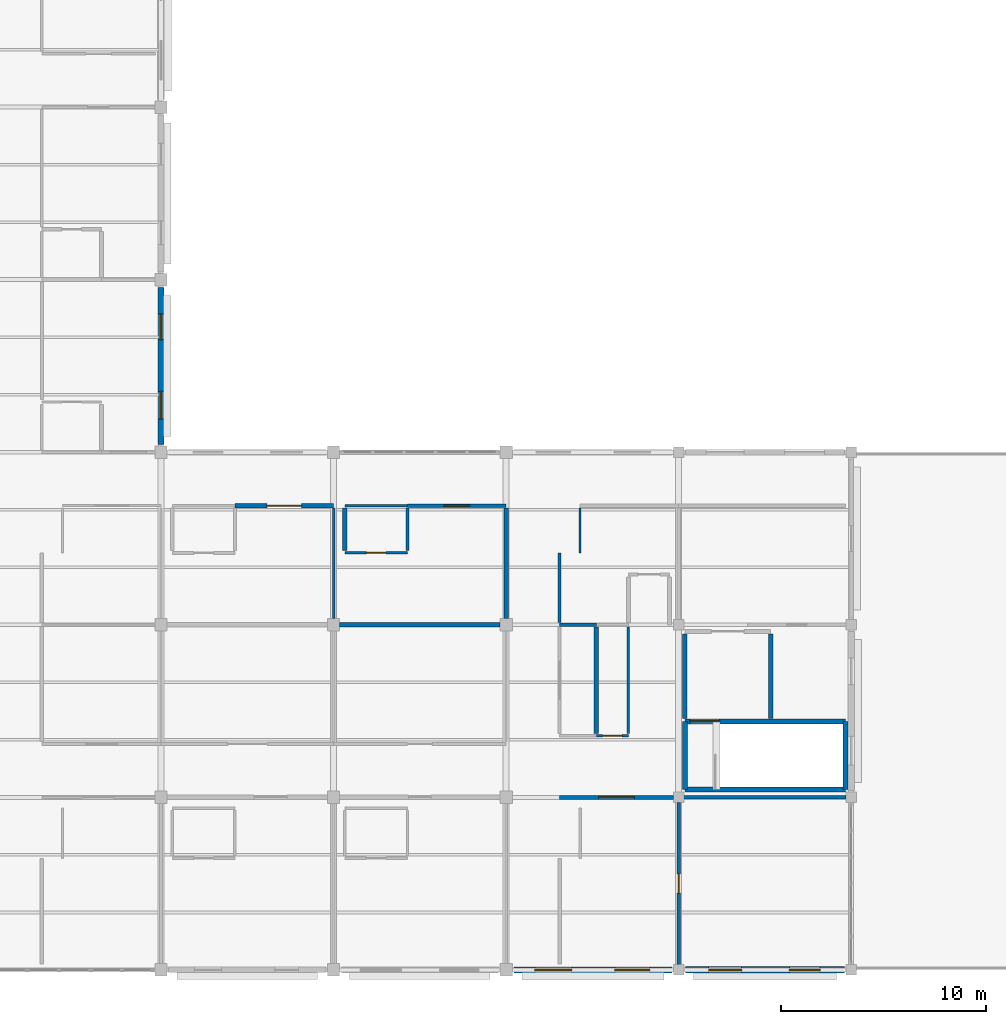
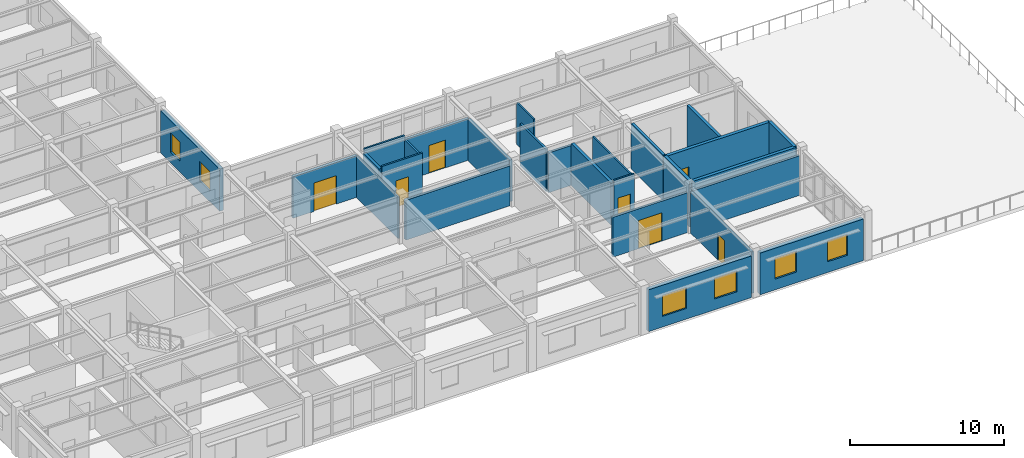
# One storey, part 47 of 70: 27 walls, 7 doors, 6 windows, 13 openings.
"""IFC4 building model written with IfcOpenShell, lengths in metres."""

from ifc_helpers import new_model, si_unit, direction, frame, frame_2d, origin, place, context, subcontext, project, spatial, rectangle, extrude, material, layer, layer_set, type_object, element, fill, save


model = new_model("IFC4")

# Units and contexts
model_context = context("Model", 3, precision=1e-05, world=origin(), true_north=direction((0.0, 1.0)))
body_context = subcontext(model_context, "Body", "Model", "MODEL_VIEW")
ifc_project = project(units=[si_unit("LENGTHUNIT", "METRE"), si_unit("AREAUNIT", "SQUARE_METRE"), si_unit("VOLUMEUNIT", "CUBIC_METRE"), si_unit("PLANEANGLEUNIT", "RADIAN"), si_unit("MASSUNIT", "GRAM", prefix="KILO")], contexts=[model_context])

# Site, building, storey
site_placement = place(None, origin())
site = spatial("IfcSite", under=ifc_project, at=site_placement, CompositionType="ELEMENT")
building_placement = place(site_placement, origin())
building = spatial("IfcBuilding", under=site, at=building_placement, Name="Bramfleet General Hospital", CompositionType="ELEMENT")
storey_placement = place(building_placement, frame((0.0, 0.0, 22.5)))
storey = spatial("IfcBuildingStorey", under=building, at=storey_placement, Name="L05", CompositionType="ELEMENT", Elevation=22.5)

# Wall, openings, windows
ifc_material_1 = material(Name="Precast concrete C40/50", Category="concrete")
ifc_layer_1 = layer(ifc_material_1, 0.31494140625, Name="WT-EW-04")
ifc_layer_set_1 = layer_set([ifc_layer_1], Name="Precast concrete C40/50")
wall_type_1 = type_object("IfcWallType", Name="WT-EW-04", PredefinedType="SOLIDWALL", material=ifc_layer_set_1)
wall_1_placement = place(storey_placement, frame((150.875, 0.0, 0.0), z_axis=(0.0, 0.0, 1.0), x_axis=(-1.0, 0.0, 0.0)))
wall_1 = element("IfcWall", 1, at=wall_1_placement, inside=storey, type_object=wall_type_1, Name="L05 Exterior Wall 373", PredefinedType="SOLIDWALL", context=body_context, shape_type="SweptSolid", body=[
    extrude(rectangle(XDim=7.75, YDim=0.31494140625, at=frame_2d((3.875, 0.0))), origin(), (0.0, 0.0, 1.0), 3.300048828125),
])
opening_1_placement = place(wall_1_placement, frame((1.1875, 0.0, 0.85009765625)))
opening_1 = element("IfcOpeningElement", 2, at=opening_1_placement, cuts=wall_1, Name="Opening W-35", PredefinedType="OPENING", context=body_context, shape_type="SweptSolid", body=[
    extrude(rectangle(XDim=1.5, YDim=1.659912109375, at=frame_2d((0.75, 0.830078125))), frame((0.0, 0.16748046875, 0.0), z_axis=(0.0, -1.0, 0.0), x_axis=(1.0, 0.0, 0.0)), (0.0, 0.0, 1.0), 0.3349609375),
])
opening_2_placement = place(wall_1_placement, frame((5.012451171875, 0.0, 0.85009765625)))
opening_2 = element("IfcOpeningElement", 3, at=opening_2_placement, cuts=wall_1, Name="Opening W-36", PredefinedType="OPENING", context=body_context, shape_type="SweptSolid", body=[
    extrude(rectangle(XDim=1.60009765625, YDim=1.659912109375, at=frame_2d((0.800048828125, 0.830078125))), frame((0.0, 0.16748046875, 0.0), z_axis=(0.0, -1.0, 0.0), x_axis=(1.0, 0.0, 0.0)), (0.0, 0.0, 1.0), 0.3349609375),
])
ifc_material_2 = material(Name="Anodised aluminium and low-E triple glazing", Category="aluminium")
window_type_1 = type_object("IfcWindowType", Name="WIN-W-35", PartitioningType="SINGLE_PANEL", PredefinedType="WINDOW", material=ifc_material_2)
window_1_placement = place(opening_1_placement, origin())
window_1 = element("IfcWindow", 4, at=window_1_placement, inside=storey, type_object=window_type_1, Name="L05 Facade Window WIN-L05-373-1", OverallHeight=1.659912109375, OverallWidth=1.5, PartitioningType="SINGLE_PANEL", PredefinedType="WINDOW", context=body_context, shape_type="SweptSolid", body=[
    extrude(rectangle(XDim=1.5, YDim=1.659912109375, at=frame_2d((0.75, 0.830078125))), frame((0.0, 0.030029296875, 0.0), z_axis=(0.0, -1.0, 0.0), x_axis=(1.0, 0.0, 0.0)), (0.0, 0.0, 1.0), 0.06005859375),
])
fill(opening_1, window_1)
window_type_2 = type_object("IfcWindowType", Name="WIN-W-36", PartitioningType="SINGLE_PANEL", PredefinedType="WINDOW", material=ifc_material_2)
window_2_placement = place(opening_2_placement, origin())
window_2 = element("IfcWindow", 5, at=window_2_placement, inside=storey, type_object=window_type_2, Name="L05 Facade Window WIN-L05-373-2", OverallHeight=1.659912109375, OverallWidth=1.60009765625, PartitioningType="SINGLE_PANEL", PredefinedType="WINDOW", context=body_context, shape_type="SweptSolid", body=[
    extrude(rectangle(XDim=1.60009765625, YDim=1.659912109375, at=frame_2d((0.800048828125, 0.830078125))), frame((0.0, 0.030029296875, 0.0), z_axis=(0.0, -1.0, 0.0), x_axis=(1.0, 0.0, 0.0)), (0.0, 0.0, 1.0), 0.06005859375),
])
fill(opening_2, window_2)

ifc_layer_2 = layer(ifc_material_1, 0.294921875, Name="WT-EW-05")
ifc_layer_set_2 = layer_set([ifc_layer_2], Name="Precast concrete C40/50")
wall_type_2 = type_object("IfcWallType", Name="WT-EW-05", PredefinedType="SOLIDWALL", material=ifc_layer_set_2)
wall_2_placement = place(storey_placement, frame((117.60009765625, 33.22509765625, 0.0), z_axis=(0.0, 0.0, 1.0), x_axis=(0.0, -1.0, 0.0)))
wall_2 = element("IfcWall", 6, at=wall_2_placement, inside=storey, type_object=wall_type_2, Name="L05 Exterior Wall 367", PredefinedType="SOLIDWALL", context=body_context, shape_type="SweptSolid", body=[
    extrude(rectangle(XDim=7.650146484375, YDim=0.294921875, at=frame_2d((3.8251953125, 0.0))), origin(), (0.0, 0.0, 1.0), 3.340087890625),
])
opening_3_placement = place(wall_2_placement, frame((1.28759765625, 0.0, 0.85009765625)))
opening_3 = element("IfcOpeningElement", 7, at=opening_3_placement, cuts=wall_2, Name="Opening W-23", PredefinedType="OPENING", context=body_context, shape_type="SweptSolid", body=[
    extrude(rectangle(XDim=1.25, YDim=1.5400390625, at=frame_2d((0.625, 0.77001953125))), frame((0.0, 0.157470703125, 0.0), z_axis=(0.0, -1.0, 0.0), x_axis=(1.0, 0.0, 0.0)), (0.0, 0.0, 1.0), 0.31494140625),
])
opening_4_placement = place(wall_2_placement, frame((5.0625, 0.0, 0.85009765625)))
opening_4 = element("IfcOpeningElement", 8, at=opening_4_placement, cuts=wall_2, Name="Opening W-24", PredefinedType="OPENING", context=body_context, shape_type="SweptSolid", body=[
    extrude(rectangle(XDim=1.35009765625, YDim=1.5400390625, at=frame_2d((0.675048828125, 0.77001953125))), frame((0.0, 0.157470703125, 0.0), z_axis=(0.0, -1.0, 0.0), x_axis=(1.0, 0.0, 0.0)), (0.0, 0.0, 1.0), 0.31494140625),
])
window_type_3 = type_object("IfcWindowType", Name="WIN-W-23", PartitioningType="SINGLE_PANEL", PredefinedType="WINDOW", material=ifc_material_2)
window_3_placement = place(opening_3_placement, origin())
window_3 = element("IfcWindow", 9, at=window_3_placement, inside=storey, type_object=window_type_3, Name="L05 Facade Window WIN-L05-367-1", OverallHeight=1.5400390625, OverallWidth=1.25, PartitioningType="SINGLE_PANEL", PredefinedType="WINDOW", context=body_context, shape_type="SweptSolid", body=[
    extrude(rectangle(XDim=1.25, YDim=1.5400390625, at=frame_2d((0.625, 0.77001953125))), frame((0.0, 0.030029296875, 0.0), z_axis=(0.0, -1.0, 0.0), x_axis=(1.0, 0.0, 0.0)), (0.0, 0.0, 1.0), 0.06005859375),
])
fill(opening_3, window_3)
window_type_4 = type_object("IfcWindowType", Name="WIN-W-24", PartitioningType="SINGLE_PANEL", PredefinedType="WINDOW", material=ifc_material_2)
window_4_placement = place(opening_4_placement, origin())
window_4 = element("IfcWindow", 10, at=window_4_placement, inside=storey, type_object=window_type_4, Name="L05 Facade Window WIN-L05-367-2", OverallHeight=1.5400390625, OverallWidth=1.35009765625, PartitioningType="SINGLE_PANEL", PredefinedType="WINDOW", context=body_context, shape_type="SweptSolid", body=[
    extrude(rectangle(XDim=1.35009765625, YDim=1.5400390625, at=frame_2d((0.675048828125, 0.77001953125))), frame((0.0, 0.030029296875, 0.0), z_axis=(0.0, -1.0, 0.0), x_axis=(1.0, 0.0, 0.0)), (0.0, 0.0, 1.0), 0.06005859375),
])
fill(opening_4, window_4)

wall_3_placement = place(storey_placement, frame((142.47509765625, 0.0, 0.0), z_axis=(0.0, 0.0, 1.0), x_axis=(-1.0, 0.0, 0.0)))
wall_3 = element("IfcWall", 11, at=wall_3_placement, inside=storey, type_object=wall_type_2, Name="L05 Exterior Wall 374", PredefinedType="SOLIDWALL", context=body_context, shape_type="SweptSolid", body=[
    extrude(rectangle(XDim=7.7001953125, YDim=0.294921875, at=frame_2d((3.85009765625, 0.0))), origin(), (0.0, 0.0, 1.0), 3.31005859375),
])
opening_5_placement = place(wall_3_placement, frame((1.074951171875, 0.0, 0.85009765625)))
opening_5 = element("IfcOpeningElement", 12, at=opening_5_placement, cuts=wall_3, Name="Opening W-37", PredefinedType="OPENING", context=body_context, shape_type="SweptSolid", body=[
    extrude(rectangle(XDim=1.699951171875, YDim=1.659912109375, at=frame_2d((0.85009765625, 0.830078125))), frame((0.0, 0.157470703125, 0.0), z_axis=(0.0, -1.0, 0.0), x_axis=(1.0, 0.0, 0.0)), (0.0, 0.0, 1.0), 0.31494140625),
])
opening_6_placement = place(wall_3_placement, frame((4.875, 0.0, 0.85009765625)))
opening_6 = element("IfcOpeningElement", 13, at=opening_6_placement, cuts=wall_3, Name="Opening W-38", PredefinedType="OPENING", context=body_context, shape_type="SweptSolid", body=[
    extrude(rectangle(XDim=1.800048828125, YDim=1.659912109375, at=frame_2d((0.89990234375, 0.830078125))), frame((0.0, 0.157470703125, 0.0), z_axis=(0.0, -1.0, 0.0), x_axis=(1.0, 0.0, 0.0)), (0.0, 0.0, 1.0), 0.31494140625),
])
window_type_5 = type_object("IfcWindowType", Name="WIN-W-37", PartitioningType="SINGLE_PANEL", PredefinedType="WINDOW", material=ifc_material_2)
window_5_placement = place(opening_5_placement, origin())
window_5 = element("IfcWindow", 14, at=window_5_placement, inside=storey, type_object=window_type_5, Name="L05 Facade Window WIN-L05-374-1", OverallHeight=1.659912109375, OverallWidth=1.699951171875, PartitioningType="SINGLE_PANEL", PredefinedType="WINDOW", context=body_context, shape_type="SweptSolid", body=[
    extrude(rectangle(XDim=1.699951171875, YDim=1.659912109375, at=frame_2d((0.85009765625, 0.830078125))), frame((0.0, 0.030029296875, 0.0), z_axis=(0.0, -1.0, 0.0), x_axis=(1.0, 0.0, 0.0)), (0.0, 0.0, 1.0), 0.06005859375),
])
fill(opening_5, window_5)
window_type_6 = type_object("IfcWindowType", Name="WIN-W-38", PartitioningType="SINGLE_PANEL", PredefinedType="WINDOW", material=ifc_material_2)
window_6_placement = place(opening_6_placement, origin())
window_6 = element("IfcWindow", 15, at=window_6_placement, inside=storey, type_object=window_type_6, Name="L05 Facade Window WIN-L05-374-2", OverallHeight=1.659912109375, OverallWidth=1.800048828125, PartitioningType="SINGLE_PANEL", PredefinedType="WINDOW", context=body_context, shape_type="SweptSolid", body=[
    extrude(rectangle(XDim=1.800048828125, YDim=1.659912109375, at=frame_2d((0.89990234375, 0.830078125))), frame((0.0, 0.030029296875, 0.0), z_axis=(0.0, -1.0, 0.0), x_axis=(1.0, 0.0, 0.0)), (0.0, 0.0, 1.0), 0.06005859375),
])
fill(opening_6, window_6)

# Walls
ifc_material_3 = material(Name="Concrete C35/45", Category="concrete")
ifc_layer_3 = layer(ifc_material_3, 0.219970703125, Name="WT-IW-01")
ifc_layer_set_3 = layer_set([ifc_layer_3], Name="Concrete C35/45")
wall_type_3 = type_object("IfcWallType", Name="WT-IW-01", PredefinedType="PARTITIONING", material=ifc_layer_set_3)
wall_4_placement = place(storey_placement, frame((134.39990234375, 17.094970703125, 0.0), z_axis=(0.0, 0.0, 1.0), x_axis=(0.0, 1.0, 0.0)))
element("IfcWall", 16, at=wall_4_placement, inside=storey, type_object=wall_type_3, Name="L05 Interior Partition IW-L05-3805", PredefinedType="PARTITIONING", context=body_context, shape_type="SweptSolid", body=[
    extrude(rectangle(XDim=5.39013671875, YDim=0.219970703125, at=frame_2d((2.695068359375, 0.0))), origin(), (0.0, 0.0, 1.0), 3.300048828125),
])
wall_5_placement = place(storey_placement, frame((138.800048828125, 11.514892578125, 0.0), z_axis=(0.0, 0.0, 1.0), x_axis=(0.0, 1.0, 0.0)))
element("IfcWall", 17, at=wall_5_placement, inside=storey, type_object=wall_type_3, Name="L05 Interior Partition IW-L05-3817", PredefinedType="PARTITIONING", context=body_context, shape_type="SweptSolid", body=[
    extrude(rectangle(XDim=5.170166015625, YDim=0.219970703125, at=frame_2d((2.5849609375, 0.0))), origin(), (0.0, 0.0, 1.0), 3.340087890625),
])
ifc_layer_4 = layer(ifc_material_3, 0.205078125, Name="WT-IW-02")
ifc_layer_set_4 = layer_set([ifc_layer_4], Name="Concrete C35/45")
wall_type_4 = type_object("IfcWallType", Name="WT-IW-02", PredefinedType="PARTITIONING", material=ifc_layer_set_4)
for number, where, z_axis, x_axis, name in (
    (18, (147.280029296875, 12.239990234375, 0.0), (0.0, 0.0, 1.0), (0.0, 1.0, 0.0), "L05 C10 Lobby East Shaft Wall"),
    (19, (143.10009765625, 12.239990234375, 0.0), (0.0, 0.0, 1.0), (0.0, 1.0, 0.0), "L05 C10 Lobby West Compartment Wall"),
):
    element("IfcWall", number, at=place(storey_placement, frame(where, z_axis=z_axis, x_axis=x_axis)), inside=storey, type_object=wall_type_4, Name=name, PredefinedType="PARTITIONING", context=body_context, shape_type="SweptSolid", body=[
        extrude(rectangle(XDim=4.1201171875, YDim=0.205078125, at=frame_2d((2.06005859375, 0.0))), origin(), (0.0, 0.0, 1.0), 3.610107421875),
    ])
wall_6_placement = place(storey_placement, frame((126.294921875, 16.800048828125, 0.0), z_axis=(0.0, 0.0, 1.0), x_axis=(1.0, 0.0, 0.0)))
element("IfcWall", 20, at=wall_6_placement, inside=storey, type_object=wall_type_4, Name="L05 Interior Partition IW-L05-3518", PredefinedType="PARTITIONING", context=body_context, shape_type="SweptSolid", body=[
    extrude(rectangle(XDim=7.81005859375, YDim=0.205078125, at=frame_2d((3.905029296875, 0.0))), origin(), (0.0, 0.0, 1.0), 3.159912109375),
])

# Wall, opening, door
wall_7_placement = place(storey_placement, frame((121.199951171875, 22.60009765625, 0.0), z_axis=(0.0, 0.0, 1.0), x_axis=(1.0, 0.0, 0.0)))
wall_7 = element("IfcWall", 21, at=wall_7_placement, inside=storey, type_object=wall_type_4, Name="L05 Interior Partition IW-L05-3530", PredefinedType="PARTITIONING", context=body_context, shape_type="SweptSolid", body=[
    extrude(rectangle(XDim=4.800048828125, YDim=0.205078125, at=frame_2d((2.39990234375, 0.0))), origin(), (0.0, 0.0, 1.0), 3.300048828125),
])
opening_7_placement = place(wall_7_placement, frame((1.550048828125, 0.0, 0.0)))
opening_7 = element("IfcOpeningElement", 22, at=opening_7_placement, cuts=wall_7, Name="Opening D1415", PredefinedType="OPENING", context=body_context, shape_type="SweptSolid", body=[
    extrude(rectangle(XDim=1.699951171875, YDim=2.25, at=frame_2d((0.85009765625, 1.125))), frame((0.0, 0.112548828125, 0.0), z_axis=(0.0, -1.0, 0.0), x_axis=(1.0, 0.0, 0.0)), (0.0, 0.0, 1.0), 0.22509765625),
])
ifc_material_4 = material(Name="Stainless steel and acoustic timber leaf", Category="steel")
door_type_1 = type_object("IfcDoorType", Name="DR-D-07", OperationType="NOTDEFINED", PredefinedType="DOOR", material=ifc_material_4)
door_1_placement = place(opening_7_placement, origin())
door_1 = element("IfcDoor", 23, at=door_1_placement, inside=storey, type_object=door_type_1, Name="Medical and Cardiology Ward Bedroom L05-1402 Door D1415", OperationType="DOUBLE_SWING_RIGHT", OverallHeight=2.25, OverallWidth=1.699951171875, PredefinedType="DOOR", context=body_context, shape_type="SweptSolid", body=[
    extrude(rectangle(XDim=1.699951171875, YDim=2.25, at=frame_2d((0.85009765625, 1.125))), frame((0.0, 0.02490234375, 0.0), z_axis=(0.0, -1.0, 0.0), x_axis=(1.0, 0.0, 0.0)), (0.0, 0.0, 1.0), 0.050048828125),
])
fill(opening_7, door_1)

# Wall
wall_8_placement = place(storey_placement, frame((126.550048828125, 20.4150390625, 0.0), z_axis=(0.0, 0.0, 1.0), x_axis=(0.0, 1.0, 0.0)))
element("IfcWall", 24, at=wall_8_placement, inside=storey, type_object=wall_type_4, Name="L05 Interior Partition IW-L05-3794", PredefinedType="PARTITIONING", context=body_context, shape_type="SweptSolid", body=[
    extrude(rectangle(XDim=2.070068359375, YDim=0.205078125, at=frame_2d((1.03515625, 0.0))), origin(), (0.0, 0.0, 1.0), 3.340087890625),
])

# Wall, opening, door
ifc_layer_5 = layer(ifc_material_3, 0.18994140625, Name="WT-IW-03")
ifc_layer_set_5 = layer_set([ifc_layer_5], Name="Concrete C35/45")
wall_type_5 = type_object("IfcWallType", Name="WT-IW-03", PredefinedType="PARTITIONING", material=ifc_layer_set_5)
wall_9_placement = place(storey_placement, frame((137.0, 8.39990234375, 0.0), z_axis=(0.0, 0.0, 1.0), x_axis=(1.0, 0.0, 0.0)))
wall_9 = element("IfcWall", 25, at=wall_9_placement, inside=storey, type_object=wall_type_5, Name="L05 Interior Partition IW-L05-3507", PredefinedType="PARTITIONING", context=body_context, shape_type="SweptSolid", body=[
    extrude(rectangle(XDim=5.554931640625, YDim=0.18994140625, at=frame_2d((2.77734375, 0.0))), origin(), (0.0, 0.0, 1.0), 3.159912109375),
])
opening_8_placement = place(wall_9_placement, frame((1.907470703125, 0.0, 0.0)))
opening_8 = element("IfcOpeningElement", 26, at=opening_8_placement, cuts=wall_9, Name="Opening D1427", PredefinedType="OPENING", context=body_context, shape_type="SweptSolid", body=[
    extrude(rectangle(XDim=1.739990234375, YDim=2.239990234375, at=frame_2d((0.8701171875, 1.1201171875))), frame((0.0, 0.10498046875, 0.0), z_axis=(0.0, -1.0, 0.0), x_axis=(1.0, 0.0, 0.0)), (0.0, 0.0, 1.0), 0.2099609375),
])
door_type_2 = type_object("IfcDoorType", Name="DR-D-19", OperationType="NOTDEFINED", PredefinedType="DOOR", material=ifc_material_4)
door_2_placement = place(opening_8_placement, origin())
door_2 = element("IfcDoor", 27, at=door_2_placement, inside=storey, type_object=door_type_2, Name="Medical and Cardiology Ward Bedroom L05-1600 Door D1427", OperationType="DOUBLE_SWING_RIGHT", OverallHeight=2.239990234375, OverallWidth=1.739990234375, PredefinedType="DOOR", context=body_context, shape_type="SweptSolid", body=[
    extrude(rectangle(XDim=1.739990234375, YDim=2.239990234375, at=frame_2d((0.8701171875, 1.1201171875))), frame((0.0, 0.02490234375, 0.0), z_axis=(0.0, -1.0, 0.0), x_axis=(1.0, 0.0, 0.0)), (0.0, 0.0, 1.0), 0.050048828125),
])
fill(opening_8, door_2)

# Walls
wall_10_placement = place(storey_placement, frame((137.0, 16.800048828125, 0.0), z_axis=(0.0, 0.0, 1.0), x_axis=(1.0, 0.0, 0.0)))
element("IfcWall", 28, at=wall_10_placement, inside=storey, type_object=wall_type_5, Name="L05 Interior Partition IW-L05-3519", PredefinedType="PARTITIONING", context=body_context, shape_type="SweptSolid", body=[
    extrude(rectangle(XDim=1.800048828125, YDim=0.18994140625, at=frame_2d((0.89990234375, 0.0))), origin(), (0.0, 0.0, 1.0), 3.159912109375),
])
ifc_layer_6 = layer(ifc_material_3, 0.179931640625, Name="WT-IW-04")
ifc_layer_set_6 = layer_set([ifc_layer_6], Name="Concrete C35/45")
wall_type_6 = type_object("IfcWallType", Name="WT-IW-04", PredefinedType="PARTITIONING", material=ifc_layer_set_6)
wall_11_placement = place(storey_placement, frame((143.044921875, 8.39990234375, 0.0), z_axis=(0.0, 0.0, 1.0), x_axis=(1.0, 0.0, 0.0)))
element("IfcWall", 29, at=wall_11_placement, inside=storey, type_object=wall_type_6, Name="L05 Interior Partition IW-L05-3508", PredefinedType="PARTITIONING", context=body_context, shape_type="SweptSolid", body=[
    extrude(rectangle(XDim=7.91015625, YDim=0.179931640625, at=frame_2d((3.955078125, 0.0))), origin(), (0.0, 0.0, 1.0), 3.14990234375),
])

# Wall, opening, door
wall_12_placement = place(storey_placement, frame((129.60009765625, 22.60009765625, 0.0), z_axis=(0.0, 0.0, 1.0), x_axis=(1.0, 0.0, 0.0)))
wall_12 = element("IfcWall", 30, at=wall_12_placement, inside=storey, type_object=wall_type_6, Name="L05 Interior Partition IW-L05-3532", PredefinedType="PARTITIONING", context=body_context, shape_type="SweptSolid", body=[
    extrude(rectangle(XDim=4.7998046875, YDim=0.179931640625, at=frame_2d((2.39990234375, 0.0))), origin(), (0.0, 0.0, 1.0), 3.300048828125),
])
opening_9_placement = place(wall_12_placement, frame((1.77490234375, 0.0, 0.0)))
opening_9 = element("IfcOpeningElement", 31, at=opening_9_placement, cuts=wall_12, Name="Opening D1422", PredefinedType="OPENING", context=body_context, shape_type="SweptSolid", body=[
    extrude(rectangle(XDim=1.25, YDim=2.199951171875, at=frame_2d((0.625, 1.10009765625))), frame((0.0, 0.099853515625, 0.0), z_axis=(0.0, -1.0, 0.0), x_axis=(1.0, 0.0, 0.0)), (0.0, 0.0, 1.0), 0.199951171875),
])
door_type_3 = type_object("IfcDoorType", Name="DR-D-14", OperationType="NOTDEFINED", PredefinedType="DOOR", material=ifc_material_4)
door_3_placement = place(opening_9_placement, origin())
door_3 = element("IfcDoor", 32, at=door_3_placement, inside=storey, type_object=door_type_3, Name="Medical and Cardiology Ward Bedroom L05-1502 Door D1422", OperationType="SINGLE_SWING_LEFT", OverallHeight=2.199951171875, OverallWidth=1.25, PredefinedType="DOOR", context=body_context, shape_type="SweptSolid", body=[
    extrude(rectangle(XDim=1.25, YDim=2.199951171875, at=frame_2d((0.625, 1.10009765625))), frame((0.0, 0.02490234375, 0.0), z_axis=(0.0, -1.0, 0.0), x_axis=(1.0, 0.0, 0.0)), (0.0, 0.0, 1.0), 0.050048828125),
])
fill(opening_9, door_3)

ifc_material_5 = material(Name="Gypsum plasterboard on acoustic steel studs", Category="steel")
ifc_layer_7 = layer(ifc_material_5, 0.169921875, Name="WT-IW-05")
ifc_layer_set_7 = layer_set([ifc_layer_7], Name="Gypsum plasterboard on acoustic steel studs")
wall_type_7 = type_object("IfcWallType", Name="WT-IW-05", PredefinedType="PARTITIONING", material=ifc_layer_set_7)
wall_13_placement = place(storey_placement, frame((142.800048828125, 0.2451171875, 0.0), z_axis=(0.0, 0.0, 1.0), x_axis=(0.0, 1.0, 0.0)))
wall_13 = element("IfcWall", 33, at=wall_13_placement, inside=storey, type_object=wall_type_7, Name="L05 Interior Partition IW-L05-3821", PredefinedType="PARTITIONING", context=body_context, shape_type="SweptSolid", body=[
    extrude(rectangle(XDim=7.909912109375, YDim=0.169921875, at=frame_2d((3.955078125, 0.0))), origin(), (0.0, 0.0, 1.0), 3.2900390625),
])
opening_10_placement = place(wall_13_placement, frame((3.4951171875, 0.0, 0.0)))
opening_10 = element("IfcOpeningElement", 34, at=opening_10_placement, cuts=wall_13, Name="Opening D1433", PredefinedType="OPENING", context=body_context, shape_type="SweptSolid", body=[
    extrude(rectangle(XDim=0.919921875, YDim=2.080078125, at=frame_2d((0.4599609375, 1.0400390625))), frame((0.0, 0.094970703125, 0.0), z_axis=(0.0, -1.0, 0.0), x_axis=(1.0, 0.0, 0.0)), (0.0, 0.0, 1.0), 0.18994140625),
])
door_type_4 = type_object("IfcDoorType", Name="DR-D-25", OperationType="NOTDEFINED", PredefinedType="DOOR", material=ifc_material_4)
door_4_placement = place(opening_10_placement, origin())
door_4 = element("IfcDoor", 35, at=door_4_placement, inside=storey, type_object=door_type_4, Name="Patient Dayroom and Garden Lounge L05-1700 Door D1433", OperationType="SINGLE_SWING_RIGHT", OverallHeight=2.080078125, OverallWidth=0.919921875, PredefinedType="DOOR", context=body_context, shape_type="SweptSolid", body=[
    extrude(rectangle(XDim=0.919921875, YDim=2.080078125, at=frame_2d((0.4599609375, 1.0400390625))), frame((0.0, 0.02490234375, 0.0), z_axis=(0.0, -1.0, 0.0), x_axis=(1.0, 0.0, 0.0)), (0.0, 0.0, 1.0), 0.050048828125),
])
fill(opening_10, door_4)

# Walls
ifc_layer_8 = layer(ifc_material_5, 0.14990234375, Name="WT-IW-07")
ifc_layer_set_8 = layer_set([ifc_layer_8], Name="Gypsum plasterboard on acoustic steel studs")
wall_type_8 = type_object("IfcWallType", Name="WT-IW-07", PredefinedType="PARTITIONING", material=ifc_layer_set_8)
wall_14_placement = place(storey_placement, frame((129.60009765625, 20.4150390625, 0.0), z_axis=(0.0, 0.0, 1.0), x_axis=(0.0, 1.0, 0.0)))
element("IfcWall", 36, at=wall_14_placement, inside=storey, type_object=wall_type_8, Name="L05 Interior Partition IW-L05-3799", PredefinedType="PARTITIONING", context=body_context, shape_type="SweptSolid", body=[
    extrude(rectangle(XDim=2.070068359375, YDim=0.14990234375, at=frame_2d((1.03515625, 0.0))), origin(), (0.0, 0.0, 1.0), 3.340087890625),
])
wall_15_placement = place(storey_placement, frame((137.0, 16.9150390625, 0.0), z_axis=(0.0, 0.0, 1.0), x_axis=(0.0, 1.0, 0.0)))
element("IfcWall", 37, at=wall_15_placement, inside=storey, type_object=wall_type_8, Name="L05 Interior Partition IW-L05-3811", PredefinedType="PARTITIONING", context=body_context, shape_type="SweptSolid", body=[
    extrude(rectangle(XDim=3.385009765625, YDim=0.14990234375, at=frame_2d((1.6923828125, 0.0))), origin(), (0.0, 0.0, 1.0), 3.340087890625),
])

# Wall, opening, door
ifc_layer_9 = layer(ifc_material_5, 0.1298828125, Name="WT-IW-09")
ifc_layer_set_9 = layer_set([ifc_layer_9], Name="Gypsum plasterboard on acoustic steel studs")
wall_type_9 = type_object("IfcWallType", Name="WT-IW-09", PredefinedType="PARTITIONING", material=ifc_layer_set_9)
wall_16_placement = place(storey_placement, frame((126.550048828125, 20.300048828125, 0.0), z_axis=(0.0, 0.0, 1.0), x_axis=(1.0, 0.0, 0.0)))
wall_16 = element("IfcWall", 38, at=wall_16_placement, inside=storey, type_object=wall_type_9, Name="L05 Interior Partition IW-L05-3525", PredefinedType="PARTITIONING", context=body_context, shape_type="SweptSolid", body=[
    extrude(rectangle(XDim=3.050048828125, YDim=0.1298828125, at=frame_2d((1.52490234375, 0.0))), origin(), (0.0, 0.0, 1.0), 3.610107421875),
])
opening_11_placement = place(wall_16_placement, frame((1.050048828125, 0.0, 0.0)))
opening_11 = element("IfcOpeningElement", 39, at=opening_11_placement, cuts=wall_16, Name="Opening D1423", PredefinedType="OPENING", context=body_context, shape_type="SweptSolid", body=[
    extrude(rectangle(XDim=0.949951171875, YDim=2.10009765625, at=frame_2d((0.47509765625, 1.050048828125))), frame((0.0, 0.074951171875, 0.0), z_axis=(0.0, -1.0, 0.0), x_axis=(1.0, 0.0, 0.0)), (0.0, 0.0, 1.0), 0.14990234375),
])
door_type_5 = type_object("IfcDoorType", Name="DR-D-10", OperationType="NOTDEFINED", PredefinedType="DOOR", material=ifc_material_4)
door_5_placement = place(opening_11_placement, origin())
door_5 = element("IfcDoor", 40, at=door_5_placement, inside=storey, type_object=door_type_5, Name="En-Suite Bathroom L05-1502 Door D1423", OperationType="SINGLE_SWING_LEFT", OverallHeight=2.10009765625, OverallWidth=0.949951171875, PredefinedType="DOOR", context=body_context, shape_type="SweptSolid", body=[
    extrude(rectangle(XDim=0.949951171875, YDim=2.10009765625, at=frame_2d((0.47509765625, 1.050048828125))), frame((0.0, 0.02490234375, 0.0), z_axis=(0.0, -1.0, 0.0), x_axis=(1.0, 0.0, 0.0)), (0.0, 0.0, 1.0), 0.050048828125),
])
fill(opening_11, door_5)

ifc_layer_10 = layer(ifc_material_5, 0.1201171875, Name="WT-IW-10")
ifc_layer_set_10 = layer_set([ifc_layer_10], Name="Gypsum plasterboard on acoustic steel studs")
wall_type_10 = type_object("IfcWallType", Name="WT-IW-10", PredefinedType="PARTITIONING", material=ifc_layer_set_10)
wall_17_placement = place(storey_placement, frame((138.800048828125, 11.39990234375, 0.0), z_axis=(0.0, 0.0, 1.0), x_axis=(1.0, 0.0, 0.0)))
wall_17 = element("IfcWall", 41, at=wall_17_placement, inside=storey, type_object=wall_type_10, Name="L05 Interior Partition IW-L05-3514", PredefinedType="PARTITIONING", context=body_context, shape_type="SweptSolid", body=[
    extrude(rectangle(XDim=1.550048828125, YDim=0.1201171875, at=frame_2d((0.77490234375, 0.0))), origin(), (0.0, 0.0, 1.0), 3.610107421875),
])
opening_12_placement = place(wall_17_placement, frame((0.300048828125, 0.0, 0.0)))
opening_12 = element("IfcOpeningElement", 42, at=opening_12_placement, cuts=wall_17, Name="Opening D1429", PredefinedType="OPENING", context=body_context, shape_type="SweptSolid", body=[
    extrude(rectangle(XDim=0.949951171875, YDim=2.10009765625, at=frame_2d((0.47509765625, 1.050048828125))), frame((0.0, 0.070068359375, 0.0), z_axis=(0.0, -1.0, 0.0), x_axis=(1.0, 0.0, 0.0)), (0.0, 0.0, 1.0), 0.14013671875),
])
door_6_placement = place(opening_12_placement, origin())
door_6 = element("IfcDoor", 43, at=door_6_placement, inside=storey, type_object=door_type_5, Name="L05 Accessible and Staff WC 1601 Door D1429", OperationType="SINGLE_SWING_LEFT", OverallHeight=2.10009765625, OverallWidth=0.949951171875, PredefinedType="DOOR", context=body_context, shape_type="SweptSolid", body=[
    extrude(rectangle(XDim=0.949951171875, YDim=2.10009765625, at=frame_2d((0.47509765625, 1.050048828125))), frame((0.0, 0.02490234375, 0.0), z_axis=(0.0, -1.0, 0.0), x_axis=(1.0, 0.0, 0.0)), (0.0, 0.0, 1.0), 0.050048828125),
])
fill(opening_12, door_6)

# Walls
wall_18_placement = place(storey_placement, frame((126.550048828125, 22.60009765625, 0.0), z_axis=(0.0, 0.0, 1.0), x_axis=(1.0, 0.0, 0.0)))
element("IfcWall", 44, at=wall_18_placement, inside=storey, type_object=wall_type_10, Name="L05 Interior Partition IW-L05-3531", PredefinedType="PARTITIONING", context=body_context, shape_type="SweptSolid", body=[
    extrude(rectangle(XDim=3.050048828125, YDim=0.1201171875, at=frame_2d((1.52490234375, 0.0))), origin(), (0.0, 0.0, 1.0), 3.610107421875),
])
wall_19_placement = place(storey_placement, frame((126.0, 17.094970703125, 0.0), z_axis=(0.0, 0.0, 1.0), x_axis=(0.0, 1.0, 0.0)))
element("IfcWall", 45, at=wall_19_placement, inside=storey, type_object=wall_type_10, Name="L05 Interior Partition IW-L05-3790", PredefinedType="PARTITIONING", context=body_context, shape_type="SweptSolid", body=[
    extrude(rectangle(XDim=5.39013671875, YDim=0.1201171875, at=frame_2d((2.695068359375, 0.0))), origin(), (0.0, 0.0, 1.0), 3.300048828125),
])
wall_20_placement = place(storey_placement, frame((140.35009765625, 11.514892578125, 0.0), z_axis=(0.0, 0.0, 1.0), x_axis=(0.0, 1.0, 0.0)))
element("IfcWall", 46, at=wall_20_placement, inside=storey, type_object=wall_type_10, Name="L05 Interior Partition IW-L05-3818", PredefinedType="PARTITIONING", context=body_context, shape_type="SweptSolid", body=[
    extrude(rectangle(XDim=5.170166015625, YDim=0.1201171875, at=frame_2d((2.5849609375, 0.0))), origin(), (0.0, 0.0, 1.0), 3.340087890625),
])
ifc_layer_11 = layer(ifc_material_5, 0.112060546875, Name="WT-IW-11")
ifc_layer_set_11 = layer_set([ifc_layer_11], Name="Gypsum plasterboard on acoustic steel studs")
wall_type_11 = type_object("IfcWallType", Name="WT-IW-11", PredefinedType="PARTITIONING", material=ifc_layer_set_11)
wall_21_placement = place(storey_placement, frame((138.0, 20.300048828125, 0.0), z_axis=(0.0, 0.0, 1.0), x_axis=(0.0, 1.0, 0.0)))
element("IfcWall", 47, at=wall_21_placement, inside=storey, type_object=wall_type_11, Name="L05 Interior Partition IW-L05-3815", PredefinedType="PARTITIONING", context=body_context, shape_type="SweptSolid", body=[
    extrude(rectangle(XDim=2.18505859375, YDim=0.112060546875, at=frame_2d((1.092529296875, 0.0))), origin(), (0.0, 0.0, 1.0), 3.340087890625),
])
ifc_material_6 = material(Name="Concrete C40/50", Category="concrete")
ifc_layer_12 = layer(ifc_material_6, 0.239990234375, Name="WT-SW-240")
ifc_layer_set_12 = layer_set([ifc_layer_12], Name="Concrete C40/50")
wall_type_12 = type_object("IfcWallType", Name="WT-SW-240", PredefinedType="SHEAR", material=ifc_layer_set_12)
wall_22_placement = place(storey_placement, frame((143.10009765625, 8.780029296875, 0.0), z_axis=(0.0, 0.0, 1.0), x_axis=(1.0, 0.0, 0.0)))
element("IfcWall", 48, at=wall_22_placement, inside=storey, type_object=wall_type_12, Name="L05 C10 South Stair Shear Wall", PredefinedType="SHEAR", context=body_context, shape_type="SweptSolid", body=[
    extrude(rectangle(XDim=7.81982421875, YDim=0.239990234375, at=frame_2d((3.909912109375, 0.0))), origin(), (0.0, 0.0, 1.0), 3.6201171875),
])
for number, where, z_axis, x_axis, name in (
    (49, (143.10009765625, 8.780029296875, 0.0), (0.0, 0.0, 1.0), (0.0, 1.0, 0.0), "L05 C10 West Stair Shear Wall"),
    (50, (150.919921875, 8.780029296875, 0.0), (0.0, 0.0, 1.0), (0.0, 1.0, 0.0), "L05 C10 East Stair Shear Wall"),
):
    element("IfcWall", number, at=place(storey_placement, frame(where, z_axis=z_axis, x_axis=x_axis)), inside=storey, type_object=wall_type_12, Name=name, PredefinedType="SHEAR", context=body_context, shape_type="SweptSolid", body=[
        extrude(rectangle(XDim=3.320068359375, YDim=0.239990234375, at=frame_2d((1.66015625, 0.0))), origin(), (0.0, 0.0, 1.0), 3.6201171875),
    ])

# Wall, opening, door
wall_23_placement = place(storey_placement, frame((143.10009765625, 12.10009765625, 0.0), z_axis=(0.0, 0.0, 1.0), x_axis=(1.0, 0.0, 0.0)))
wall_23 = element("IfcWall", 51, at=wall_23_placement, inside=storey, type_object=wall_type_12, Name="L05 C10 Stair-Lobby Shear Wall", PredefinedType="SHEAR", context=body_context, shape_type="SweptSolid", body=[
    extrude(rectangle(XDim=7.81982421875, YDim=0.239990234375, at=frame_2d((3.909912109375, 0.0))), origin(), (0.0, 0.0, 1.0), 3.6201171875),
])
opening_13_placement = place(wall_23_placement, frame((0.25, 0.0, 0.0)))
opening_13 = element("IfcOpeningElement", 52, at=opening_13_placement, cuts=wall_23, Name="Opening D0135", PredefinedType="OPENING", context=body_context, shape_type="SweptSolid", body=[
    extrude(rectangle(XDim=1.449951171875, YDim=2.199951171875, at=frame_2d((0.72509765625, 1.10009765625))), frame((0.0, 0.1298828125, 0.0), z_axis=(0.0, -1.0, 0.0), x_axis=(1.0, 0.0, 0.0)), (0.0, 0.0, 1.0), 0.260009765625),
])
door_type_6 = type_object("IfcDoorType", Name="DR-D-03", OperationType="NOTDEFINED", PredefinedType="DOOR", material=ifc_material_4)
door_7_placement = place(opening_13_placement, origin())
door_7 = element("IfcDoor", 53, at=door_7_placement, inside=storey, type_object=door_type_6, Name="L05 C10 Escape Stair Fire Door D0135", OperationType="SINGLE_SWING_RIGHT", OverallHeight=2.199951171875, OverallWidth=1.449951171875, PredefinedType="DOOR", context=body_context, shape_type="SweptSolid", body=[
    extrude(rectangle(XDim=1.449951171875, YDim=2.199951171875, at=frame_2d((0.72509765625, 1.10009765625))), frame((0.0, 0.02490234375, 0.0), z_axis=(0.0, -1.0, 0.0), x_axis=(1.0, 0.0, 0.0)), (0.0, 0.0, 1.0), 0.050048828125),
])
fill(opening_13, door_7)

save(model, "model.ifc")
